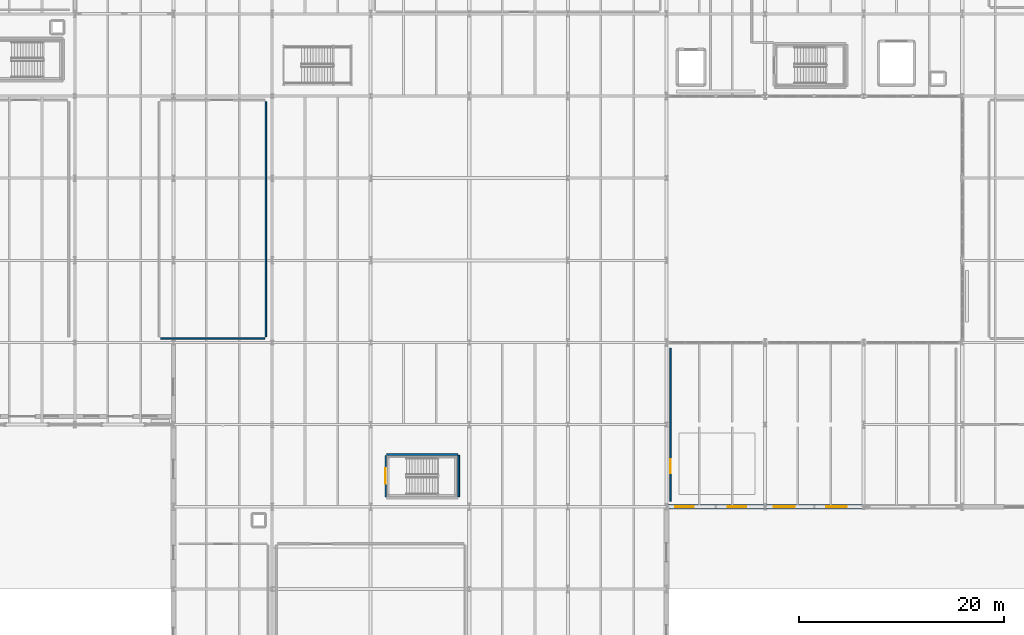
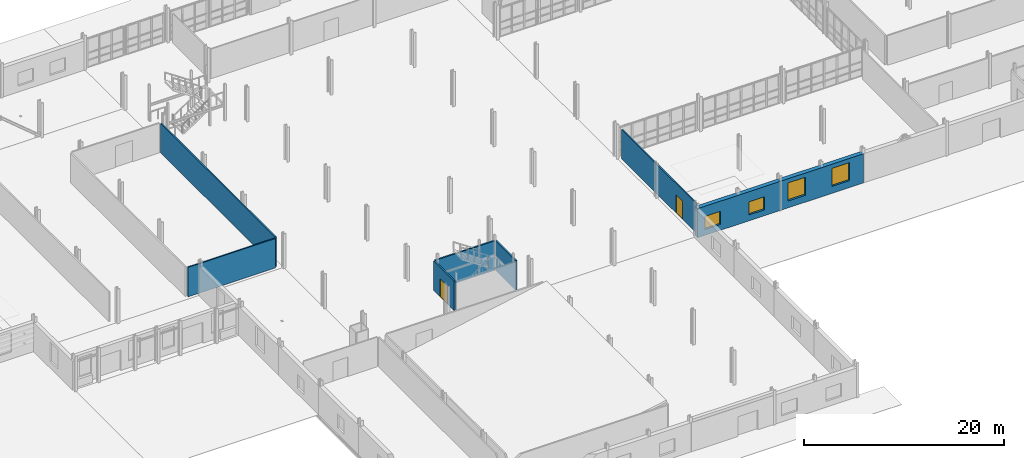
# One storey, part 60 of 78: 8 walls, 4 windows, 2 doors, 6 openings.
"""IFC4 building model written with IfcOpenShell, lengths in metres."""

from ifc_helpers import new_model, si_unit, direction, frame, frame_2d, origin, place, context, subcontext, project, spatial, rectangle, extrude, material, layer, layer_set, type_object, element, fill, save


model = new_model("IFC4")

# Units and contexts
model_context = context("Model", 3, precision=1e-05, world=origin(), true_north=direction((0.0, 1.0)))
body_context = subcontext(model_context, "Body", "Model", "MODEL_VIEW")
ifc_project = project(units=[si_unit("LENGTHUNIT", "METRE"), si_unit("AREAUNIT", "SQUARE_METRE"), si_unit("VOLUMEUNIT", "CUBIC_METRE"), si_unit("PLANEANGLEUNIT", "RADIAN"), si_unit("MASSUNIT", "GRAM", prefix="KILO")], contexts=[model_context])

# Site, building, storey
site_placement = place(None, origin())
site = spatial("IfcSite", under=ifc_project, at=site_placement, CompositionType="ELEMENT")
building_placement = place(site_placement, origin())
building = spatial("IfcBuilding", under=site, at=building_placement, Name="Alderhovde Museum", CompositionType="ELEMENT")
storey_placement = place(building_placement, origin())
storey = spatial("IfcBuildingStorey", under=building, at=storey_placement, Name="L00", CompositionType="ELEMENT", Elevation=0.0)

# Wall, openings, windows
ifc_material_1 = material(Name="Nordic Granite Ashlar on Concrete C35/45", Category="masonry")
ifc_layer_1 = layer(ifc_material_1, 0.47998046875)
ifc_layer_set_1 = layer_set([ifc_layer_1], Name="Nordic Granite Ashlar on Concrete C35/45")
wall_type_1 = type_object("IfcWallType", Name="EW-GRAN-480", PredefinedType="SOLIDWALL", material=ifc_layer_set_1)
wall_1_placement = place(storey_placement, frame((115.219970703125, 32.0, 0.0), z_axis=(0.0, 0.0, 1.0), x_axis=(1.0, 0.0, 0.0)))
wall_1 = element("IfcWall", 1, at=wall_1_placement, inside=storey, type_object=wall_type_1, Name="L00 Conservation South Beaux-Arts Wall 173", PredefinedType="SOLIDWALL", context=body_context, shape_type="SweptSolid", body=[
    extrude(rectangle(XDim=9.56005859375, YDim=0.47998046875, at=frame_2d((4.780029296875, 0.0))), origin(), (0.0, 0.0, 1.0), 3.56005859375),
])
opening_1_placement = place(wall_1_placement, frame((0.85009765625, 0.0, 0.719970703125)))
opening_1 = element("IfcOpeningElement", 2, at=opening_1_placement, cuts=wall_1, Name="Opening W13", PredefinedType="OPENING", context=body_context, shape_type="SweptSolid", body=[
    extrude(rectangle(XDim=1.800048828125, YDim=1.60009765625, at=frame_2d((0.89990234375, 0.800048828125))), frame((0.0, 0.25, 0.0), z_axis=(0.0, -1.0, 0.0), x_axis=(1.0, 0.0, 0.0)), (0.0, 0.0, 1.0), 0.5),
])
opening_2_placement = place(wall_1_placement, frame((5.949951171875, 0.0, 0.719970703125)))
opening_2 = element("IfcOpeningElement", 3, at=opening_2_placement, cuts=wall_1, Name="Opening W13", PredefinedType="OPENING", context=body_context, shape_type="SweptSolid", body=[
    extrude(rectangle(XDim=1.800048828125, YDim=1.60009765625, at=frame_2d((0.89990234375, 0.800048828125))), frame((0.0, 0.25, 0.0), z_axis=(0.0, -1.0, 0.0), x_axis=(1.0, 0.0, 0.0)), (0.0, 0.0, 1.0), 0.5),
])
ifc_material_2 = material(Name="Triple-Glazed Low-E Bronze-Anodised Aluminium", Category="aluminium")
window_type_1 = type_object("IfcWindowType", Name="WIN-ATT-1800x1600", PartitioningType="DOUBLE_PANEL_VERTICAL", PredefinedType="WINDOW", material=ifc_material_2)
window_1_placement = place(opening_1_placement, origin())
window_1 = element("IfcWindow", 4, at=window_1_placement, inside=storey, type_object=window_type_1, Name="L00 Facade Window 147", OverallHeight=1.60009765625, OverallWidth=1.800048828125, PartitioningType="SINGLE_PANEL", PredefinedType="WINDOW", context=body_context, shape_type="SweptSolid", body=[
    extrude(rectangle(XDim=1.800048828125, YDim=1.60009765625, at=frame_2d((0.89990234375, 0.800048828125))), frame((0.0, 0.030029296875, 0.0), z_axis=(0.0, -1.0, 0.0), x_axis=(1.0, 0.0, 0.0)), (0.0, 0.0, 1.0), 0.06005859375),
])
fill(opening_1, window_1)
window_2_placement = place(opening_2_placement, origin())
window_2 = element("IfcWindow", 5, at=window_2_placement, inside=storey, type_object=window_type_1, Name="L00 Facade Window 148", OverallHeight=1.60009765625, OverallWidth=1.800048828125, PartitioningType="SINGLE_PANEL", PredefinedType="WINDOW", context=body_context, shape_type="SweptSolid", body=[
    extrude(rectangle(XDim=1.800048828125, YDim=1.60009765625, at=frame_2d((0.89990234375, 0.800048828125))), frame((0.0, 0.030029296875, 0.0), z_axis=(0.0, -1.0, 0.0), x_axis=(1.0, 0.0, 0.0)), (0.0, 0.0, 1.0), 0.06005859375),
])
fill(opening_2, window_2)

wall_2_placement = place(storey_placement, frame((124.820068359375, 32.0, 0.0), z_axis=(0.0, 0.0, 1.0), x_axis=(1.0, 0.0, 0.0)))
wall_2 = element("IfcWall", 6, at=wall_2_placement, inside=storey, type_object=wall_type_1, Name="L00 Conservation South Beaux-Arts Wall 174", PredefinedType="SOLIDWALL", context=body_context, shape_type="SweptSolid", body=[
    extrude(rectangle(XDim=9.559814453125, YDim=0.47998046875, at=frame_2d((4.77978515625, 0.0))), origin(), (0.0, 0.0, 1.0), 3.56005859375),
])
opening_3_placement = place(wall_2_placement, frame((0.85009765625, 0.0, 0.85009765625)))
opening_3 = element("IfcOpeningElement", 7, at=opening_3_placement, cuts=wall_2, Name="Opening W16", PredefinedType="OPENING", context=body_context, shape_type="SweptSolid", body=[
    extrude(rectangle(XDim=2.0, YDim=2.199951171875, at=frame_2d((1.0, 1.10009765625))), frame((0.0, 0.25, 0.0), z_axis=(0.0, -1.0, 0.0), x_axis=(1.0, 0.0, 0.0)), (0.0, 0.0, 1.0), 0.5),
])
opening_4_placement = place(wall_2_placement, frame((5.949951171875, 0.0, 0.85009765625)))
opening_4 = element("IfcOpeningElement", 8, at=opening_4_placement, cuts=wall_2, Name="Opening W16", PredefinedType="OPENING", context=body_context, shape_type="SweptSolid", body=[
    extrude(rectangle(XDim=2.0, YDim=2.199951171875, at=frame_2d((1.0, 1.10009765625))), frame((0.0, 0.25, 0.0), z_axis=(0.0, -1.0, 0.0), x_axis=(1.0, 0.0, 0.0)), (0.0, 0.0, 1.0), 0.5),
])
ifc_material_3 = material(Name="Triple-Glazed Low-E Bronze-Anodised Aluminium", Category="aluminium")
window_type_2 = type_object("IfcWindowType", Name="WIN-LAB-2000x2200", PartitioningType="DOUBLE_PANEL_VERTICAL", PredefinedType="WINDOW", material=ifc_material_3)
window_3_placement = place(opening_3_placement, origin())
window_3 = element("IfcWindow", 9, at=window_3_placement, inside=storey, type_object=window_type_2, Name="L00 Facade Window 149", OverallHeight=2.199951171875, OverallWidth=2.0, PartitioningType="SINGLE_PANEL", PredefinedType="WINDOW", context=body_context, shape_type="SweptSolid", body=[
    extrude(rectangle(XDim=2.0, YDim=2.199951171875, at=frame_2d((1.0, 1.10009765625))), frame((0.0, 0.030029296875, 0.0), z_axis=(0.0, -1.0, 0.0), x_axis=(1.0, 0.0, 0.0)), (0.0, 0.0, 1.0), 0.06005859375),
])
fill(opening_3, window_3)
window_4_placement = place(opening_4_placement, origin())
window_4 = element("IfcWindow", 10, at=window_4_placement, inside=storey, type_object=window_type_2, Name="L00 Facade Window 150", OverallHeight=2.199951171875, OverallWidth=2.0, PartitioningType="SINGLE_PANEL", PredefinedType="WINDOW", context=body_context, shape_type="SweptSolid", body=[
    extrude(rectangle(XDim=2.0, YDim=2.199951171875, at=frame_2d((1.0, 1.10009765625))), frame((0.0, 0.030029296875, 0.0), z_axis=(0.0, -1.0, 0.0), x_axis=(1.0, 0.0, 0.0)), (0.0, 0.0, 1.0), 0.06005859375),
])
fill(opening_4, window_4)

# Walls
ifc_material_4 = material(Name="Plywood-Backed Gallery Display Partition", Category="wood")
ifc_layer_2 = layer(ifc_material_4, 0.14990234375)
ifc_layer_set_2 = layer_set([ifc_layer_2], Name="Plywood-Backed Gallery Display Partition")
wall_type_2 = type_object("IfcWallType", Name="IW-GAL-150", PredefinedType="PARTITIONING", material=ifc_layer_set_2)
wall_3_placement = place(storey_placement, frame((65.93994140625, 48.39990234375, 0.0), z_axis=(0.0, 0.0, 1.0), x_axis=(1.0, 0.0, 0.0)))
element("IfcWall", 11, at=wall_3_placement, inside=storey, type_object=wall_type_2, Name="L00 Permanent Sculpture Gallery East Partition Wall S", PredefinedType="PARTITIONING", context=body_context, shape_type="SweptSolid", body=[
    extrude(rectangle(XDim=10.1201171875, YDim=0.14990234375, at=frame_2d((5.06005859375, 0.0))), origin(), (0.0, 0.0, 1.0), 3.60009765625),
])
wall_4_placement = place(storey_placement, frame((76.199951171875, 48.5400390625, 0.0), z_axis=(0.0, 0.0, 1.0), x_axis=(0.0, 1.0, 0.0)))
element("IfcWall", 12, at=wall_4_placement, inside=storey, type_object=wall_type_2, Name="L00 Permanent Sculpture Gallery East Partition Wall E", PredefinedType="PARTITIONING", context=body_context, shape_type="SweptSolid", body=[
    extrude(rectangle(XDim=22.919921875, YDim=0.14990234375, at=frame_2d((11.4599609375, 0.0))), origin(), (0.0, 0.0, 1.0), 3.60009765625),
])

# Wall, opening, door
ifc_material_5 = material(Name="Hygienic Conservation Laboratory Partition")
ifc_layer_3 = layer(ifc_material_5, 0.139892578125)
ifc_layer_set_3 = layer_set([ifc_layer_3], Name="Hygienic Conservation Laboratory Partition")
wall_type_3 = type_object("IfcWallType", Name="IW-LAB-140", PredefinedType="PARTITIONING", material=ifc_layer_set_3)
wall_5_placement = place(storey_placement, frame((115.60009765625, 32.5400390625, 0.0), z_axis=(0.0, 0.0, 1.0), x_axis=(0.0, 1.0, 0.0)))
wall_5 = element("IfcWall", 13, at=wall_5_placement, inside=storey, type_object=wall_type_3, Name="L00 Specimen Preparation Laboratory Partition Wall W", PredefinedType="PARTITIONING", context=body_context, shape_type="SweptSolid", body=[
    extrude(rectangle(XDim=14.919921875, YDim=0.139892578125, at=frame_2d((7.4599609375, 0.0))), origin(), (0.0, 0.0, 1.0), 3.60009765625),
])
opening_5_placement = place(wall_5_placement, frame((2.72607421875, 0.0, 0.0)))
opening_5 = element("IfcOpeningElement", 14, at=opening_5_placement, cuts=wall_5, Name="Opening FD-4", PredefinedType="OPENING", context=body_context, shape_type="SweptSolid", body=[
    extrude(rectangle(XDim=1.35009765625, YDim=2.199951171875, at=frame_2d((0.675048828125, 1.10009765625))), frame((0.0, 0.080078125, 0.0), z_axis=(0.0, -1.0, 0.0), x_axis=(1.0, 0.0, 0.0)), (0.0, 0.0, 1.0), 0.159912109375),
])
ifc_material_6 = material(Name="Fire-Rated Conservation Lab Door (Steel/Oak)", Category="steel")
door_type_1 = type_object("IfcDoorType", Name="FD-LAB-1350x2200", OperationType="NOTDEFINED", PredefinedType="DOOR", material=ifc_material_6)
door_1_placement = place(opening_5_placement, origin())
door_1 = element("IfcDoor", 15, at=door_1_placement, inside=storey, type_object=door_type_1, Name="L00 Specimen Preparation Laboratory Door", OperationType="SINGLE_SWING_LEFT", OverallHeight=2.199951171875, OverallWidth=1.35009765625, PredefinedType="DOOR", context=body_context, shape_type="SweptSolid", body=[
    extrude(rectangle(XDim=1.35009765625, YDim=2.199951171875, at=frame_2d((0.675048828125, 1.10009765625))), frame((0.0, 0.02490234375, 0.0), z_axis=(0.0, -1.0, 0.0), x_axis=(1.0, 0.0, 0.0)), (0.0, 0.0, 1.0), 0.050048828125),
])
fill(opening_5, door_1)

ifc_material_7 = material(Name="Fire-Resisting Stair Lobby Wall")
ifc_layer_4 = layer(ifc_material_7, 0.169921875)
ifc_layer_set_4 = layer_set([ifc_layer_4], Name="Fire-Resisting Stair Lobby Wall")
wall_type_4 = type_object("IfcWallType", Name="IW-STAIR-170", PredefinedType="SOLIDWALL", material=ifc_layer_set_4)
wall_6_placement = place(storey_placement, frame((87.860107421875, 32.9599609375, 0.0), z_axis=(0.0, 0.0, 1.0), x_axis=(0.0, 1.0, 0.0)))
wall_6 = element("IfcWall", 16, at=wall_6_placement, inside=storey, type_object=wall_type_4, Name="L00 Escape Stair ST3 Fire Wall W", PredefinedType="SOLIDWALL", context=body_context, shape_type="SweptSolid", body=[
    extrude(rectangle(XDim=4.0400390625, YDim=0.169921875, at=frame_2d((2.02001953125, 0.0))), origin(), (0.0, 0.0, 1.0), 3.60009765625),
])
opening_6_placement = place(wall_6_placement, frame((1.27001953125, 0.0, 0.0)))
opening_6 = element("IfcOpeningElement", 17, at=opening_6_placement, cuts=wall_6, Name="Opening FD-1", PredefinedType="OPENING", context=body_context, shape_type="SweptSolid", body=[
    extrude(rectangle(XDim=1.5, YDim=2.199951171875, at=frame_2d((0.75, 1.10009765625))), frame((0.0, 0.094970703125, 0.0), z_axis=(0.0, -1.0, 0.0), x_axis=(1.0, 0.0, 0.0)), (0.0, 0.0, 1.0), 0.18994140625),
])
ifc_material_8 = material(Name="Fire-Rated Steel Stair Escape Door (Steel/Oak)", Category="steel")
door_type_2 = type_object("IfcDoorType", Name="FD-STAIR-1500x2200", OperationType="NOTDEFINED", PredefinedType="DOOR", material=ifc_material_8)
door_2_placement = place(opening_6_placement, origin())
door_2 = element("IfcDoor", 18, at=door_2_placement, inside=storey, type_object=door_type_2, Name="L00 Escape Stair ST3 Fire Door", OperationType="SINGLE_SWING_RIGHT", OverallHeight=2.199951171875, OverallWidth=1.5, PredefinedType="DOOR", context=body_context, shape_type="SweptSolid", body=[
    extrude(rectangle(XDim=1.5, YDim=2.199951171875, at=frame_2d((0.75, 1.10009765625))), frame((0.0, 0.02490234375, 0.0), z_axis=(0.0, -1.0, 0.0), x_axis=(1.0, 0.0, 0.0)), (0.0, 0.0, 1.0), 0.050048828125),
])
fill(opening_6, door_2)

# Walls
wall_7_placement = place(storey_placement, frame((94.97998046875, 32.9599609375, 0.0), z_axis=(0.0, 0.0, 1.0), x_axis=(0.0, 1.0, 0.0)))
element("IfcWall", 19, at=wall_7_placement, inside=storey, type_object=wall_type_4, Name="L00 Escape Stair ST3 Fire Wall E", PredefinedType="SOLIDWALL", context=body_context, shape_type="SweptSolid", body=[
    extrude(rectangle(XDim=4.0400390625, YDim=0.169921875, at=frame_2d((2.02001953125, 0.0))), origin(), (0.0, 0.0, 1.0), 3.60009765625),
])
wall_8_placement = place(storey_placement, frame((87.9599609375, 37.10009765625, 0.0), z_axis=(0.0, 0.0, 1.0), x_axis=(1.0, 0.0, 0.0)))
element("IfcWall", 20, at=wall_8_placement, inside=storey, type_object=wall_type_4, Name="L00 Escape Stair ST3 Fire Wall N", PredefinedType="SOLIDWALL", context=body_context, shape_type="SweptSolid", body=[
    extrude(rectangle(XDim=6.919921875, YDim=0.169921875, at=frame_2d((3.4599609375, 0.0))), origin(), (0.0, 0.0, 1.0), 3.60009765625),
])

save(model, "model.ifc")
